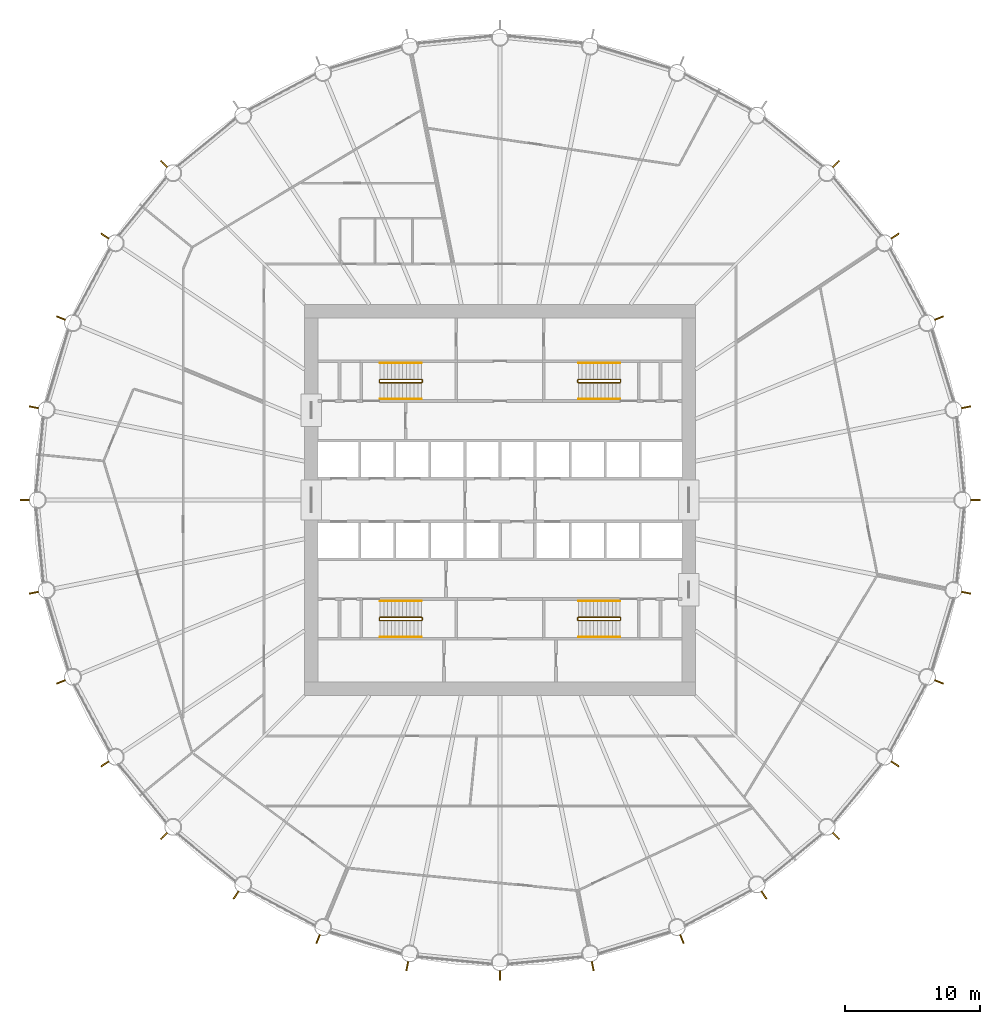
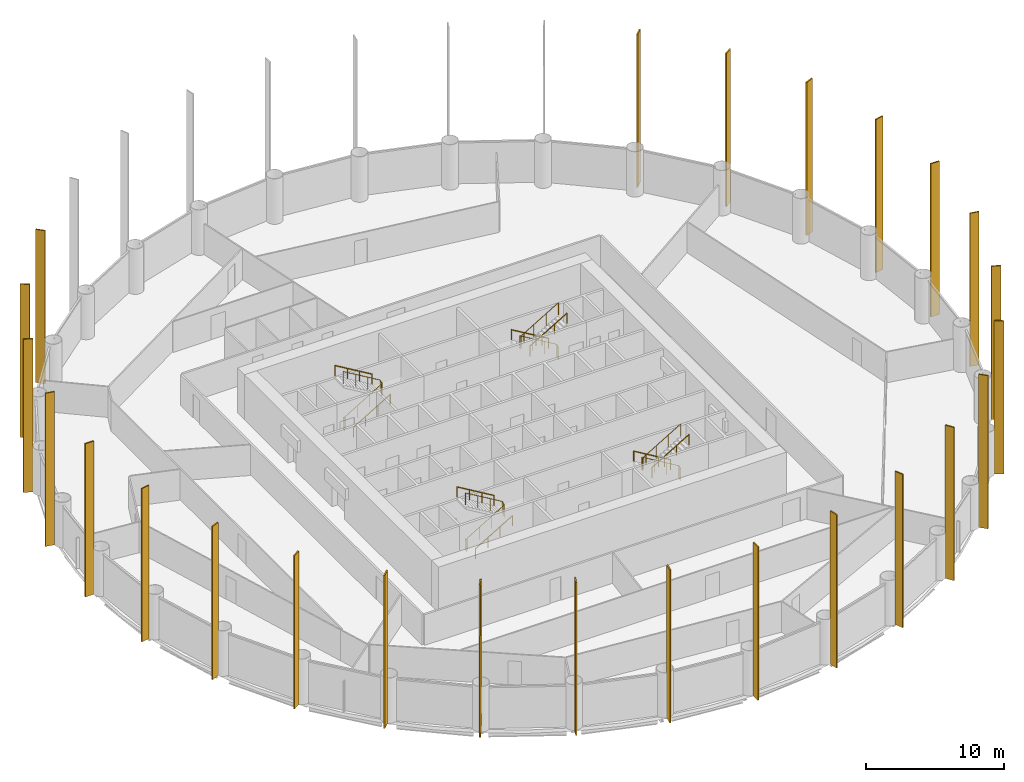
# One storey, part 9 of 10: 25 shading devices, 12 railings.
"""IFC4 building model written with IfcOpenShell, lengths in metres."""

from ifc_helpers import new_model, si_unit, direction, frame, origin, origin_2d, place, context, subcontext, project, spatial, rectangle, circle, extrude, material, material_profile, profile_set, type_object, element, save


model = new_model("IFC4")

# Units and contexts
model_context = context("Model", 3, precision=1e-05, world=origin(), true_north=direction((0.0, 1.0)))
body_context = subcontext(model_context, "Body", "Model", "MODEL_VIEW")
ifc_project = project(units=[si_unit("LENGTHUNIT", "METRE"), si_unit("AREAUNIT", "SQUARE_METRE"), si_unit("VOLUMEUNIT", "CUBIC_METRE"), si_unit("PLANEANGLEUNIT", "RADIAN"), si_unit("MASSUNIT", "GRAM", prefix="KILO")], contexts=[model_context])

# Site, building, storey
site_placement = place(None, origin())
site = spatial("IfcSite", under=ifc_project, at=site_placement, CompositionType="ELEMENT")
building_placement = place(site_placement, origin())
building = spatial("IfcBuilding", under=site, at=building_placement, Name="Corvane Civic Tower", CompositionType="ELEMENT")
storey_placement = place(building_placement, frame((0.0, 0.0, 130.5)))
storey = spatial("IfcBuildingStorey", under=building, at=storey_placement, Name="L30", CompositionType="ELEMENT", Elevation=130.5)

# Railings
ifc_material_1 = material(Name="Steel ASTM A572 Gr 50", Category="steel")
railing_type_1 = type_object("IfcRailingType", Name="ST-GUARD-1100", PredefinedType="GUARDRAIL", material=ifc_material_1)
railing_1_placement = place(storey_placement, frame((8.949951171875, 8.75, 0.0)))
element("IfcRailing", 1, at=railing_1_placement, inside=storey, type_object=railing_type_1, Name="L30 ST1 stair guard 1", PredefinedType="GUARDRAIL", context=body_context, shape_type="SweptSolid", body=[
    extrude(circle(Radius=0.02392578125, at=origin_2d()), frame((0.0, 0.0, 1.076171875), z_axis=(0.0, 1.0, 0.0), x_axis=(-1.0, 0.0, 0.0)), (0.0, 0.0, 1.0), 0.14990234375),
    extrude(circle(Radius=0.02392578125, at=origin_2d()), frame((0.0, 0.14990234375, 1.076171875), z_axis=(-0.27628659633, 0.27628659633, 0.920506074601), x_axis=(-0.707106781187, -0.707106781187, 0.0)), (0.0, 0.0, 1.0), 0.18115234375),
    extrude(circle(Radius=0.02392578125, at=origin_2d()), frame((-0.050048828125, 0.199951171875, 1.24267578125), z_axis=(-0.859290745958, 0.0, 0.51148745235), x_axis=(0.0, -1.0, 0.0)), (0.0, 0.0, 1.0), 3.584228515625),
    extrude(circle(Radius=0.02392578125, at=origin_2d()), frame((-3.1298828125, 0.199951171875, 3.076171875), z_axis=(-0.707106781187, -0.707106781187, 0.0), x_axis=(0.707106781187, -0.707106781187, 0.0)), (0.0, 0.0, 1.0), 0.07080078125),
    extrude(circle(Radius=0.02392578125, at=origin_2d()), frame((-3.179931640625, 0.14990234375, 3.076171875), z_axis=(0.0, -1.0, 0.0), x_axis=(1.0, 0.0, 0.0)), (0.0, 0.0, 1.0), 0.14990234375),
    extrude(circle(Radius=0.02392578125, at=origin_2d()), frame((-3.179931640625, 0.0, 3.076171875), z_axis=(0.27628659633, -0.27628659633, 0.920506074601), x_axis=(0.707106781187, 0.707106781187, 0.0)), (0.0, 0.0, 1.0), 0.18115234375),
    extrude(circle(Radius=0.02392578125, at=origin_2d()), frame((-3.1298828125, -0.050048828125, 3.24267578125), z_axis=(0.859290745958, 0.0, 0.51148745235), x_axis=(0.0, 1.0, 0.0)), (0.0, 0.0, 1.0), 3.584228515625),
    extrude(circle(Radius=0.02099609375, at=origin_2d()), origin(), (0.0, 0.0, 1.0), 1.052001953125),
    extrude(circle(Radius=0.02099609375, at=origin_2d()), frame((0.0, 0.14990234375, 0.0)), (0.0, 0.0, 1.0), 1.052001953125),
    extrude(circle(Radius=0.02099609375, at=origin_2d()), frame((-0.050048828125, 0.199951171875, 0.166748046875)), (0.0, 0.0, 1.0), 1.052001953125),
    extrude(circle(Radius=0.02099609375, at=origin_2d()), frame((-1.07666015625, 0.199951171875, 0.77783203125)), (0.0, 0.0, 1.0), 1.052001953125),
    extrude(circle(Radius=0.02099609375, at=origin_2d()), frame((-2.103271484375, 0.199951171875, 1.388916015625)), (0.0, 0.0, 1.0), 1.052001953125),
    extrude(circle(Radius=0.02099609375, at=origin_2d()), frame((-3.1298828125, 0.199951171875, 2.0)), (0.0, 0.0, 1.0), 1.052001953125),
    extrude(circle(Radius=0.02099609375, at=origin_2d()), frame((-3.179931640625, 0.14990234375, 2.0)), (0.0, 0.0, 1.0), 1.052001953125),
    extrude(circle(Radius=0.02099609375, at=origin_2d()), frame((-3.179931640625, 0.0, 2.0)), (0.0, 0.0, 1.0), 1.052001953125),
    extrude(circle(Radius=0.02099609375, at=origin_2d()), frame((-3.1298828125, -0.050048828125, 2.166748046875)), (0.0, 0.0, 1.0), 1.052001953125),
    extrude(circle(Radius=0.02099609375, at=origin_2d()), frame((-2.103271484375, -0.050048828125, 2.77783203125)), (0.0, 0.0, 1.0), 1.052001953125),
    extrude(circle(Radius=0.02099609375, at=origin_2d()), frame((-1.07666015625, -0.050048828125, 3.388916015625)), (0.0, 0.0, 1.0), 1.052001953125),
    extrude(circle(Radius=0.02099609375, at=origin_2d()), frame((-0.050048828125, -0.050048828125, 4.0)), (0.0, 0.0, 1.0), 1.052001953125),
])
railing_2_placement = place(storey_placement, frame((8.949951171875, -8.89990234375, 0.0)))
element("IfcRailing", 2, at=railing_2_placement, inside=storey, type_object=railing_type_1, Name="L30 ST2 stair guard 1", PredefinedType="GUARDRAIL", context=body_context, shape_type="SweptSolid", body=[
    extrude(circle(Radius=0.02392578125, at=origin_2d()), frame((0.0, 0.0, 1.076171875), z_axis=(0.0, 1.0, 0.0), x_axis=(-1.0, 0.0, 0.0)), (0.0, 0.0, 1.0), 0.14990234375),
    extrude(circle(Radius=0.02392578125, at=origin_2d()), frame((0.0, 0.14990234375, 1.076171875), z_axis=(-0.27628659633, 0.27628659633, 0.920506074601), x_axis=(-0.707106781187, -0.707106781187, 0.0)), (0.0, 0.0, 1.0), 0.18115234375),
    extrude(circle(Radius=0.02392578125, at=origin_2d()), frame((-0.050048828125, 0.199951171875, 1.24267578125), z_axis=(-0.859290745958, 0.0, 0.51148745235), x_axis=(0.0, -1.0, 0.0)), (0.0, 0.0, 1.0), 3.584228515625),
    extrude(circle(Radius=0.02392578125, at=origin_2d()), frame((-3.1298828125, 0.199951171875, 3.076171875), z_axis=(-0.707106781187, -0.707106781187, 0.0), x_axis=(0.707106781187, -0.707106781187, 0.0)), (0.0, 0.0, 1.0), 0.07080078125),
    extrude(circle(Radius=0.02392578125, at=origin_2d()), frame((-3.179931640625, 0.14990234375, 3.076171875), z_axis=(0.0, -1.0, 0.0), x_axis=(1.0, 0.0, 0.0)), (0.0, 0.0, 1.0), 0.14990234375),
    extrude(circle(Radius=0.02392578125, at=origin_2d()), frame((-3.179931640625, 0.0, 3.076171875), z_axis=(0.27628659633, -0.27628659633, 0.920506074601), x_axis=(0.707106781187, 0.707106781187, 0.0)), (0.0, 0.0, 1.0), 0.18115234375),
    extrude(circle(Radius=0.02392578125, at=origin_2d()), frame((-3.1298828125, -0.050048828125, 3.24267578125), z_axis=(0.859290745958, 0.0, 0.51148745235), x_axis=(0.0, 1.0, 0.0)), (0.0, 0.0, 1.0), 3.584228515625),
    extrude(circle(Radius=0.02099609375, at=origin_2d()), origin(), (0.0, 0.0, 1.0), 1.052001953125),
    extrude(circle(Radius=0.02099609375, at=origin_2d()), frame((0.0, 0.14990234375, 0.0)), (0.0, 0.0, 1.0), 1.052001953125),
    extrude(circle(Radius=0.02099609375, at=origin_2d()), frame((-0.050048828125, 0.199951171875, 0.166748046875)), (0.0, 0.0, 1.0), 1.052001953125),
    extrude(circle(Radius=0.02099609375, at=origin_2d()), frame((-1.07666015625, 0.199951171875, 0.77783203125)), (0.0, 0.0, 1.0), 1.052001953125),
    extrude(circle(Radius=0.02099609375, at=origin_2d()), frame((-2.103271484375, 0.199951171875, 1.388916015625)), (0.0, 0.0, 1.0), 1.052001953125),
    extrude(circle(Radius=0.02099609375, at=origin_2d()), frame((-3.1298828125, 0.199951171875, 2.0)), (0.0, 0.0, 1.0), 1.052001953125),
    extrude(circle(Radius=0.02099609375, at=origin_2d()), frame((-3.179931640625, 0.14990234375, 2.0)), (0.0, 0.0, 1.0), 1.052001953125),
    extrude(circle(Radius=0.02099609375, at=origin_2d()), frame((-3.179931640625, 0.0, 2.0)), (0.0, 0.0, 1.0), 1.052001953125),
    extrude(circle(Radius=0.02099609375, at=origin_2d()), frame((-3.1298828125, -0.050048828125, 2.166748046875)), (0.0, 0.0, 1.0), 1.052001953125),
    extrude(circle(Radius=0.02099609375, at=origin_2d()), frame((-2.103271484375, -0.050048828125, 2.77783203125)), (0.0, 0.0, 1.0), 1.052001953125),
    extrude(circle(Radius=0.02099609375, at=origin_2d()), frame((-1.07666015625, -0.050048828125, 3.388916015625)), (0.0, 0.0, 1.0), 1.052001953125),
    extrude(circle(Radius=0.02099609375, at=origin_2d()), frame((-0.050048828125, -0.050048828125, 4.0)), (0.0, 0.0, 1.0), 1.052001953125),
])
railing_3_placement = place(storey_placement, frame((-8.949951171875, -8.75, 0.0)))
element("IfcRailing", 3, at=railing_3_placement, inside=storey, type_object=railing_type_1, Name="L30 ST3 stair guard 1", PredefinedType="GUARDRAIL", context=body_context, shape_type="SweptSolid", body=[
    extrude(circle(Radius=0.02392578125, at=origin_2d()), frame((0.0, 0.0, 1.076171875), z_axis=(0.0, -1.0, 0.0), x_axis=(1.0, 0.0, 0.0)), (0.0, 0.0, 1.0), 0.14990234375),
    extrude(circle(Radius=0.02392578125, at=origin_2d()), frame((0.0, -0.14990234375, 1.076171875), z_axis=(0.27628659633, -0.27628659633, 0.920506074601), x_axis=(0.707106781187, 0.707106781187, 0.0)), (0.0, 0.0, 1.0), 0.18115234375),
    extrude(circle(Radius=0.02392578125, at=origin_2d()), frame((0.050048828125, -0.199951171875, 1.24267578125), z_axis=(0.859290745958, 0.0, 0.51148745235), x_axis=(0.0, 1.0, 0.0)), (0.0, 0.0, 1.0), 3.584228515625),
    extrude(circle(Radius=0.02392578125, at=origin_2d()), frame((3.1298828125, -0.199951171875, 3.076171875), z_axis=(0.707106781187, 0.707106781187, 0.0), x_axis=(-0.707106781187, 0.707106781187, 0.0)), (0.0, 0.0, 1.0), 0.07080078125),
    extrude(circle(Radius=0.02392578125, at=origin_2d()), frame((3.179931640625, -0.14990234375, 3.076171875), z_axis=(0.0, 1.0, 0.0), x_axis=(-1.0, 0.0, 0.0)), (0.0, 0.0, 1.0), 0.14990234375),
    extrude(circle(Radius=0.02392578125, at=origin_2d()), frame((3.179931640625, 0.0, 3.076171875), z_axis=(-0.27628659633, 0.27628659633, 0.920506074601), x_axis=(-0.707106781187, -0.707106781187, 0.0)), (0.0, 0.0, 1.0), 0.18115234375),
    extrude(circle(Radius=0.02392578125, at=origin_2d()), frame((3.1298828125, 0.050048828125, 3.24267578125), z_axis=(-0.859290745958, 0.0, 0.51148745235), x_axis=(0.0, -1.0, 0.0)), (0.0, 0.0, 1.0), 3.584228515625),
    extrude(circle(Radius=0.02099609375, at=origin_2d()), origin(), (0.0, 0.0, 1.0), 1.052001953125),
    extrude(circle(Radius=0.02099609375, at=origin_2d()), frame((0.0, -0.14990234375, 0.0)), (0.0, 0.0, 1.0), 1.052001953125),
    extrude(circle(Radius=0.02099609375, at=origin_2d()), frame((0.050048828125, -0.199951171875, 0.166748046875)), (0.0, 0.0, 1.0), 1.052001953125),
    extrude(circle(Radius=0.02099609375, at=origin_2d()), frame((1.07666015625, -0.199951171875, 0.77783203125)), (0.0, 0.0, 1.0), 1.052001953125),
    extrude(circle(Radius=0.02099609375, at=origin_2d()), frame((2.103271484375, -0.199951171875, 1.388916015625)), (0.0, 0.0, 1.0), 1.052001953125),
    extrude(circle(Radius=0.02099609375, at=origin_2d()), frame((3.1298828125, -0.199951171875, 2.0)), (0.0, 0.0, 1.0), 1.052001953125),
    extrude(circle(Radius=0.02099609375, at=origin_2d()), frame((3.179931640625, -0.14990234375, 2.0)), (0.0, 0.0, 1.0), 1.052001953125),
    extrude(circle(Radius=0.02099609375, at=origin_2d()), frame((3.179931640625, 0.0, 2.0)), (0.0, 0.0, 1.0), 1.052001953125),
    extrude(circle(Radius=0.02099609375, at=origin_2d()), frame((3.1298828125, 0.050048828125, 2.166748046875)), (0.0, 0.0, 1.0), 1.052001953125),
    extrude(circle(Radius=0.02099609375, at=origin_2d()), frame((2.103271484375, 0.050048828125, 2.77783203125)), (0.0, 0.0, 1.0), 1.052001953125),
    extrude(circle(Radius=0.02099609375, at=origin_2d()), frame((1.07666015625, 0.050048828125, 3.388916015625)), (0.0, 0.0, 1.0), 1.052001953125),
    extrude(circle(Radius=0.02099609375, at=origin_2d()), frame((0.050048828125, 0.050048828125, 4.0)), (0.0, 0.0, 1.0), 1.052001953125),
])
railing_4_placement = place(storey_placement, frame((-8.949951171875, 8.89990234375, 0.0)))
element("IfcRailing", 4, at=railing_4_placement, inside=storey, type_object=railing_type_1, Name="L30 ST4 stair guard 1", PredefinedType="GUARDRAIL", context=body_context, shape_type="SweptSolid", body=[
    extrude(circle(Radius=0.02392578125, at=origin_2d()), frame((0.0, 0.0, 1.076171875), z_axis=(0.0, -1.0, 0.0), x_axis=(1.0, 0.0, 0.0)), (0.0, 0.0, 1.0), 0.14990234375),
    extrude(circle(Radius=0.02392578125, at=origin_2d()), frame((0.0, -0.14990234375, 1.076171875), z_axis=(0.27628659633, -0.27628659633, 0.920506074601), x_axis=(0.707106781187, 0.707106781187, 0.0)), (0.0, 0.0, 1.0), 0.18115234375),
    extrude(circle(Radius=0.02392578125, at=origin_2d()), frame((0.050048828125, -0.199951171875, 1.24267578125), z_axis=(0.859290745958, 0.0, 0.51148745235), x_axis=(0.0, 1.0, 0.0)), (0.0, 0.0, 1.0), 3.584228515625),
    extrude(circle(Radius=0.02392578125, at=origin_2d()), frame((3.1298828125, -0.199951171875, 3.076171875), z_axis=(0.707106781187, 0.707106781187, 0.0), x_axis=(-0.707106781187, 0.707106781187, 0.0)), (0.0, 0.0, 1.0), 0.07080078125),
    extrude(circle(Radius=0.02392578125, at=origin_2d()), frame((3.179931640625, -0.14990234375, 3.076171875), z_axis=(0.0, 1.0, 0.0), x_axis=(-1.0, 0.0, 0.0)), (0.0, 0.0, 1.0), 0.14990234375),
    extrude(circle(Radius=0.02392578125, at=origin_2d()), frame((3.179931640625, 0.0, 3.076171875), z_axis=(-0.27628659633, 0.27628659633, 0.920506074601), x_axis=(-0.707106781187, -0.707106781187, 0.0)), (0.0, 0.0, 1.0), 0.18115234375),
    extrude(circle(Radius=0.02392578125, at=origin_2d()), frame((3.1298828125, 0.050048828125, 3.24267578125), z_axis=(-0.859290745958, 0.0, 0.51148745235), x_axis=(0.0, -1.0, 0.0)), (0.0, 0.0, 1.0), 3.584228515625),
    extrude(circle(Radius=0.02099609375, at=origin_2d()), origin(), (0.0, 0.0, 1.0), 1.052001953125),
    extrude(circle(Radius=0.02099609375, at=origin_2d()), frame((0.0, -0.14990234375, 0.0)), (0.0, 0.0, 1.0), 1.052001953125),
    extrude(circle(Radius=0.02099609375, at=origin_2d()), frame((0.050048828125, -0.199951171875, 0.166748046875)), (0.0, 0.0, 1.0), 1.052001953125),
    extrude(circle(Radius=0.02099609375, at=origin_2d()), frame((1.07666015625, -0.199951171875, 0.77783203125)), (0.0, 0.0, 1.0), 1.052001953125),
    extrude(circle(Radius=0.02099609375, at=origin_2d()), frame((2.103271484375, -0.199951171875, 1.388916015625)), (0.0, 0.0, 1.0), 1.052001953125),
    extrude(circle(Radius=0.02099609375, at=origin_2d()), frame((3.1298828125, -0.199951171875, 2.0)), (0.0, 0.0, 1.0), 1.052001953125),
    extrude(circle(Radius=0.02099609375, at=origin_2d()), frame((3.179931640625, -0.14990234375, 2.0)), (0.0, 0.0, 1.0), 1.052001953125),
    extrude(circle(Radius=0.02099609375, at=origin_2d()), frame((3.179931640625, 0.0, 2.0)), (0.0, 0.0, 1.0), 1.052001953125),
    extrude(circle(Radius=0.02099609375, at=origin_2d()), frame((3.1298828125, 0.050048828125, 2.166748046875)), (0.0, 0.0, 1.0), 1.052001953125),
    extrude(circle(Radius=0.02099609375, at=origin_2d()), frame((2.103271484375, 0.050048828125, 2.77783203125)), (0.0, 0.0, 1.0), 1.052001953125),
    extrude(circle(Radius=0.02099609375, at=origin_2d()), frame((1.07666015625, 0.050048828125, 3.388916015625)), (0.0, 0.0, 1.0), 1.052001953125),
    extrude(circle(Radius=0.02099609375, at=origin_2d()), frame((0.050048828125, 0.050048828125, 4.0)), (0.0, 0.0, 1.0), 1.052001953125),
])
ifc_material_2 = material(Name="Steel ASTM A572 Gr 50", Category="steel")
railing_type_2 = type_object("IfcRailingType", Name="ST-HANDRAIL-900", PredefinedType="HANDRAIL", material=ifc_material_2)
railing_5_placement = place(storey_placement, frame((8.89990234375, 10.14990234375, 0.166748046875)))
element("IfcRailing", 5, at=railing_5_placement, inside=storey, type_object=railing_type_2, Name="L30 ST1 stair handrail 1", PredefinedType="HANDRAIL", context=body_context, shape_type="SweptSolid", body=[
    extrude(circle(Radius=0.02392578125, at=origin_2d()), frame((0.0, 0.0, 0.8759765625), z_axis=(-0.859290745958, 0.0, 0.51148745235), x_axis=(0.0, -1.0, 0.0)), (0.0, 0.0, 1.0), 3.584228515625),
    extrude(circle(Radius=0.02099609375, at=origin_2d()), origin(), (0.0, 0.0, 1.0), 0.851806640625),
    extrude(circle(Radius=0.02099609375, at=origin_2d()), frame((-1.026611328125, 0.0, 0.611083984375)), (0.0, 0.0, 1.0), 0.851806640625),
    extrude(circle(Radius=0.02099609375, at=origin_2d()), frame((-2.05322265625, 0.0, 1.22216796875)), (0.0, 0.0, 1.0), 0.851806640625),
    extrude(circle(Radius=0.02099609375, at=origin_2d()), frame((-3.079833984375, 0.0, 1.833251953125)), (0.0, 0.0, 1.0), 0.851806640625),
])
railing_6_placement = place(storey_placement, frame((5.820068359375, 7.5, 2.166748046875)))
element("IfcRailing", 6, at=railing_6_placement, inside=storey, type_object=railing_type_2, Name="L30 ST1 stair handrail 2", PredefinedType="HANDRAIL", context=body_context, shape_type="SweptSolid", body=[
    extrude(circle(Radius=0.02392578125, at=origin_2d()), frame((0.0, 0.0, 0.8759765625), z_axis=(0.859290745958, 0.0, 0.51148745235), x_axis=(0.0, 1.0, 0.0)), (0.0, 0.0, 1.0), 3.584228515625),
    extrude(circle(Radius=0.02099609375, at=origin_2d()), origin(), (0.0, 0.0, 1.0), 0.851806640625),
    extrude(circle(Radius=0.02099609375, at=origin_2d()), frame((1.026611328125, 0.0, 0.611083984375)), (0.0, 0.0, 1.0), 0.851806640625),
    extrude(circle(Radius=0.02099609375, at=origin_2d()), frame((2.05322265625, 0.0, 1.22216796875)), (0.0, 0.0, 1.0), 0.851806640625),
    extrude(circle(Radius=0.02099609375, at=origin_2d()), frame((3.079833984375, 0.0, 1.833251953125)), (0.0, 0.0, 1.0), 0.851806640625),
])
railing_7_placement = place(storey_placement, frame((8.89990234375, -7.5, 0.166748046875)))
element("IfcRailing", 7, at=railing_7_placement, inside=storey, type_object=railing_type_2, Name="L30 ST2 stair handrail 1", PredefinedType="HANDRAIL", context=body_context, shape_type="SweptSolid", body=[
    extrude(circle(Radius=0.02392578125, at=origin_2d()), frame((0.0, 0.0, 0.8759765625), z_axis=(-0.859290745958, 0.0, 0.51148745235), x_axis=(0.0, -1.0, 0.0)), (0.0, 0.0, 1.0), 3.584228515625),
    extrude(circle(Radius=0.02099609375, at=origin_2d()), origin(), (0.0, 0.0, 1.0), 0.851806640625),
    extrude(circle(Radius=0.02099609375, at=origin_2d()), frame((-1.026611328125, 0.0, 0.611083984375)), (0.0, 0.0, 1.0), 0.851806640625),
    extrude(circle(Radius=0.02099609375, at=origin_2d()), frame((-2.05322265625, 0.0, 1.22216796875)), (0.0, 0.0, 1.0), 0.851806640625),
    extrude(circle(Radius=0.02099609375, at=origin_2d()), frame((-3.079833984375, 0.0, 1.833251953125)), (0.0, 0.0, 1.0), 0.851806640625),
])
for number, where, name in (
    (8, (5.820068359375, -10.14990234375, 2.166748046875), "L30 ST2 stair handrail 2"),
    (9, (-8.89990234375, -10.14990234375, 0.166748046875), "L30 ST3 stair handrail 1"),
):
    element("IfcRailing", number, at=place(storey_placement, frame(where)), inside=storey, type_object=railing_type_2, Name=name, PredefinedType="HANDRAIL", context=body_context, shape_type="SweptSolid", body=[
        extrude(circle(Radius=0.02392578125, at=origin_2d()), frame((0.0, 0.0, 0.8759765625), z_axis=(0.859290745958, 0.0, 0.51148745235), x_axis=(0.0, 1.0, 0.0)), (0.0, 0.0, 1.0), 3.584228515625),
        extrude(circle(Radius=0.02099609375, at=origin_2d()), origin(), (0.0, 0.0, 1.0), 0.851806640625),
        extrude(circle(Radius=0.02099609375, at=origin_2d()), frame((1.026611328125, 0.0, 0.611083984375)), (0.0, 0.0, 1.0), 0.851806640625),
        extrude(circle(Radius=0.02099609375, at=origin_2d()), frame((2.05322265625, 0.0, 1.22216796875)), (0.0, 0.0, 1.0), 0.851806640625),
        extrude(circle(Radius=0.02099609375, at=origin_2d()), frame((3.079833984375, 0.0, 1.833251953125)), (0.0, 0.0, 1.0), 0.851806640625),
    ])
railing_8_placement = place(storey_placement, frame((-5.820068359375, -7.5, 2.166748046875)))
element("IfcRailing", 10, at=railing_8_placement, inside=storey, type_object=railing_type_2, Name="L30 ST3 stair handrail 2", PredefinedType="HANDRAIL", context=body_context, shape_type="SweptSolid", body=[
    extrude(circle(Radius=0.02392578125, at=origin_2d()), frame((0.0, 0.0, 0.8759765625), z_axis=(-0.859290745958, 0.0, 0.51148745235), x_axis=(0.0, -1.0, 0.0)), (0.0, 0.0, 1.0), 3.584228515625),
    extrude(circle(Radius=0.02099609375, at=origin_2d()), origin(), (0.0, 0.0, 1.0), 0.851806640625),
    extrude(circle(Radius=0.02099609375, at=origin_2d()), frame((-1.026611328125, 0.0, 0.611083984375)), (0.0, 0.0, 1.0), 0.851806640625),
    extrude(circle(Radius=0.02099609375, at=origin_2d()), frame((-2.05322265625, 0.0, 1.22216796875)), (0.0, 0.0, 1.0), 0.851806640625),
    extrude(circle(Radius=0.02099609375, at=origin_2d()), frame((-3.079833984375, 0.0, 1.833251953125)), (0.0, 0.0, 1.0), 0.851806640625),
])
railing_9_placement = place(storey_placement, frame((-8.89990234375, 7.5, 0.166748046875)))
element("IfcRailing", 11, at=railing_9_placement, inside=storey, type_object=railing_type_2, Name="L30 ST4 stair handrail 1", PredefinedType="HANDRAIL", context=body_context, shape_type="SweptSolid", body=[
    extrude(circle(Radius=0.02392578125, at=origin_2d()), frame((0.0, 0.0, 0.8759765625), z_axis=(0.859290745958, 0.0, 0.51148745235), x_axis=(0.0, 1.0, 0.0)), (0.0, 0.0, 1.0), 3.584228515625),
    extrude(circle(Radius=0.02099609375, at=origin_2d()), origin(), (0.0, 0.0, 1.0), 0.851806640625),
    extrude(circle(Radius=0.02099609375, at=origin_2d()), frame((1.026611328125, 0.0, 0.611083984375)), (0.0, 0.0, 1.0), 0.851806640625),
    extrude(circle(Radius=0.02099609375, at=origin_2d()), frame((2.05322265625, 0.0, 1.22216796875)), (0.0, 0.0, 1.0), 0.851806640625),
    extrude(circle(Radius=0.02099609375, at=origin_2d()), frame((3.079833984375, 0.0, 1.833251953125)), (0.0, 0.0, 1.0), 0.851806640625),
])
railing_10_placement = place(storey_placement, frame((-5.820068359375, 10.14990234375, 2.166748046875)))
element("IfcRailing", 12, at=railing_10_placement, inside=storey, type_object=railing_type_2, Name="L30 ST4 stair handrail 2", PredefinedType="HANDRAIL", context=body_context, shape_type="SweptSolid", body=[
    extrude(circle(Radius=0.02392578125, at=origin_2d()), frame((0.0, 0.0, 0.8759765625), z_axis=(-0.859290745958, 0.0, 0.51148745235), x_axis=(0.0, -1.0, 0.0)), (0.0, 0.0, 1.0), 3.584228515625),
    extrude(circle(Radius=0.02099609375, at=origin_2d()), origin(), (0.0, 0.0, 1.0), 0.851806640625),
    extrude(circle(Radius=0.02099609375, at=origin_2d()), frame((-1.026611328125, 0.0, 0.611083984375)), (0.0, 0.0, 1.0), 0.851806640625),
    extrude(circle(Radius=0.02099609375, at=origin_2d()), frame((-2.05322265625, 0.0, 1.22216796875)), (0.0, 0.0, 1.0), 0.851806640625),
    extrude(circle(Radius=0.02099609375, at=origin_2d()), frame((-3.079833984375, 0.0, 1.833251953125)), (0.0, 0.0, 1.0), 0.851806640625),
])

# Shading devices
ifc_material_3 = material(Name="Anodised aluminium bronze", Category="aluminium")
ifc_material_profile = material_profile(ifc_material_3, rectangle(XDim=0.10009765625, YDim=0.699951171875, at=origin_2d()), Name="TOWER FIN STACK 100x700 BRONZE")
ifc_profile_set = profile_set([ifc_material_profile], Name="Anodised aluminium bronze")
shading_device_type = type_object("IfcShadingDeviceType", Name="TOWER FIN STACK 100x700 BRONZE", PredefinedType="USERDEFINED", material=ifc_profile_set)
for number, where, z_axis, x_axis, name in (
    (13, (24.928955078125, 24.928955078125, 0.0), (0.0, 0.0, 1.0), (0.707106781187, -0.707106781187, 0.0), "Fin 05 L30 to L32"),
    (14, (29.3134765625, 19.586669921875, 0.0), (0.0, 0.0, 1.0), (0.55557023302, -0.831469612303, 0.0), "Fin 06 L30 to L32"),
    (15, (32.5712890625, 13.491455078125, 0.0), (0.0, 0.0, 1.0), (0.382683432365, -0.923879532511, 0.0), "Fin 07 L30 to L32"),
    (16, (34.57763671875, 6.8779296875, 0.0), (0.0, 0.0, 1.0), (0.195090322016, -0.980785280403, 0.0), "Fin 08 L30 to L32"),
    (17, (35.2548828125, 0.0, 0.0), (0.0, 0.0, 1.0), (0.0, -1.0, 0.0), "Fin 09 L30 to L32"),
    (18, (34.57763671875, -6.8779296875, 0.0), (0.0, 0.0, 1.0), (-0.195090322016, -0.980785280403, 0.0), "Fin 10 L30 to L32"),
    (19, (32.5712890625, -13.491455078125, 0.0), (0.0, 0.0, 1.0), (-0.382683432365, -0.923879532511, 0.0), "Fin 11 L30 to L32"),
    (20, (29.3134765625, -19.586669921875, 0.0), (0.0, 0.0, 1.0), (-0.55557023302, -0.831469612303, 0.0), "Fin 12 L30 to L32"),
    (21, (24.928955078125, -24.928955078125, 0.0), (0.0, 0.0, 1.0), (-0.707106781187, -0.707106781187, 0.0), "Fin 13 L30 to L32"),
    (22, (19.586669921875, -29.3134765625, 0.0), (0.0, 0.0, 1.0), (-0.831469612303, -0.55557023302, 0.0), "Fin 14 L30 to L32"),
    (23, (13.491455078125, -32.5712890625, 0.0), (0.0, 0.0, 1.0), (-0.923879532511, -0.382683432365, 0.0), "Fin 15 L30 to L32"),
    (24, (6.8779296875, -34.57763671875, 0.0), (0.0, 0.0, 1.0), (-0.980785280403, -0.195090322016, 0.0), "Fin 16 L30 to L32"),
    (25, (0.0, -35.2548828125, 0.0), (0.0, 0.0, 1.0), (-1.0, 0.0, 0.0), "Fin 17 L30 to L32"),
    (26, (-6.8779296875, -34.57763671875, 0.0), (0.0, 0.0, 1.0), (-0.980785280403, 0.195090322016, 0.0), "Fin 18 L30 to L32"),
    (27, (-13.491455078125, -32.5712890625, 0.0), (0.0, 0.0, 1.0), (-0.923879532511, 0.382683432365, 0.0), "Fin 19 L30 to L32"),
    (28, (-19.586669921875, -29.3134765625, 0.0), (0.0, 0.0, 1.0), (-0.831469612303, 0.55557023302, 0.0), "Fin 20 L30 to L32"),
    (29, (-24.928955078125, -24.928955078125, 0.0), (0.0, 0.0, 1.0), (-0.707106781187, 0.707106781187, 0.0), "Fin 21 L30 to L32"),
    (30, (-29.3134765625, -19.586669921875, 0.0), (0.0, 0.0, 1.0), (-0.55557023302, 0.831469612303, 0.0), "Fin 22 L30 to L32"),
    (31, (-32.5712890625, -13.491455078125, 0.0), (0.0, 0.0, 1.0), (-0.382683432365, 0.923879532511, 0.0), "Fin 23 L30 to L32"),
    (32, (-34.57763671875, -6.8779296875, 0.0), (0.0, 0.0, 1.0), (-0.195090322016, 0.980785280403, 0.0), "Fin 24 L30 to L32"),
    (33, (-35.2548828125, 0.0, 0.0), (0.0, 0.0, 1.0), (0.0, 1.0, 0.0), "Fin 25 L30 to L32"),
    (34, (-34.57763671875, 6.8779296875, 0.0), (0.0, 0.0, 1.0), (0.195090322016, 0.980785280403, 0.0), "Fin 26 L30 to L32"),
    (35, (-32.5712890625, 13.491455078125, 0.0), (0.0, 0.0, 1.0), (0.382683432365, 0.923879532511, 0.0), "Fin 27 L30 to L32"),
    (36, (-29.3134765625, 19.586669921875, 0.0), (0.0, 0.0, 1.0), (0.55557023302, 0.831469612303, 0.0), "Fin 28 L30 to L32"),
    (37, (-24.928955078125, 24.928955078125, 0.0), (0.0, 0.0, 1.0), (0.707106781187, 0.707106781187, 0.0), "Fin 29 L30 to L32"),
):
    element("IfcShadingDevice", number, at=place(storey_placement, frame(where, z_axis=z_axis, x_axis=x_axis)), inside=storey, type_object=shading_device_type, Name=name, ObjectType="FIN", PredefinedType="USERDEFINED", context=body_context, shape_type="SweptSolid", body=[
        extrude(rectangle(XDim=0.10009765625, YDim=0.699951171875, at=origin_2d()), origin(), (0.0, 0.0, 1.0), 13.5),
    ])

save(model, "model.ifc")
